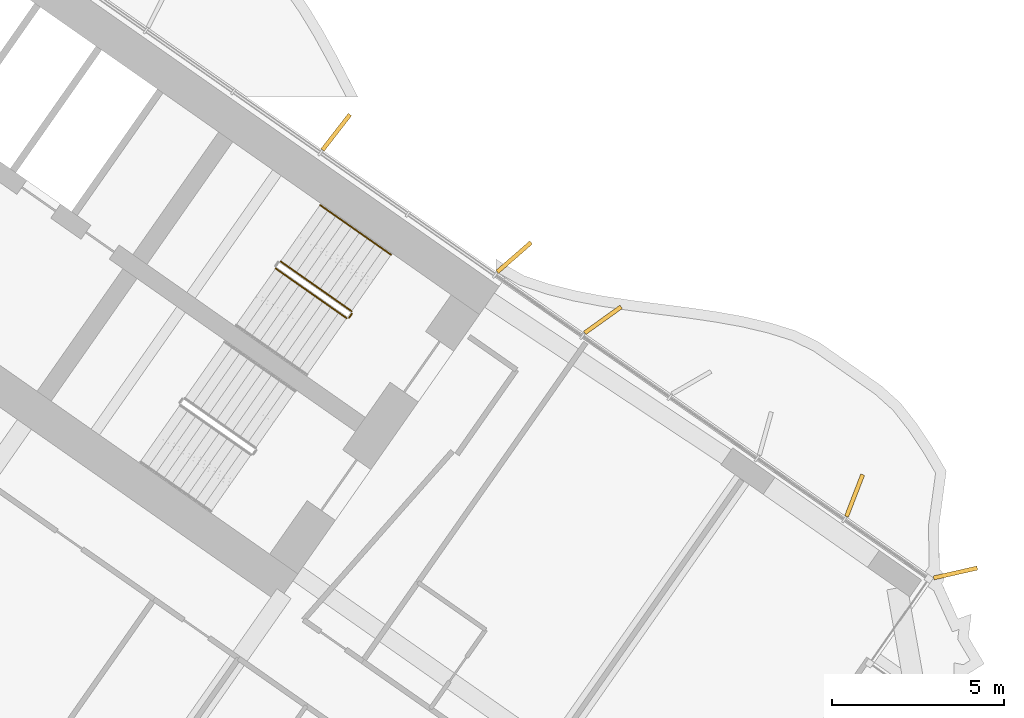
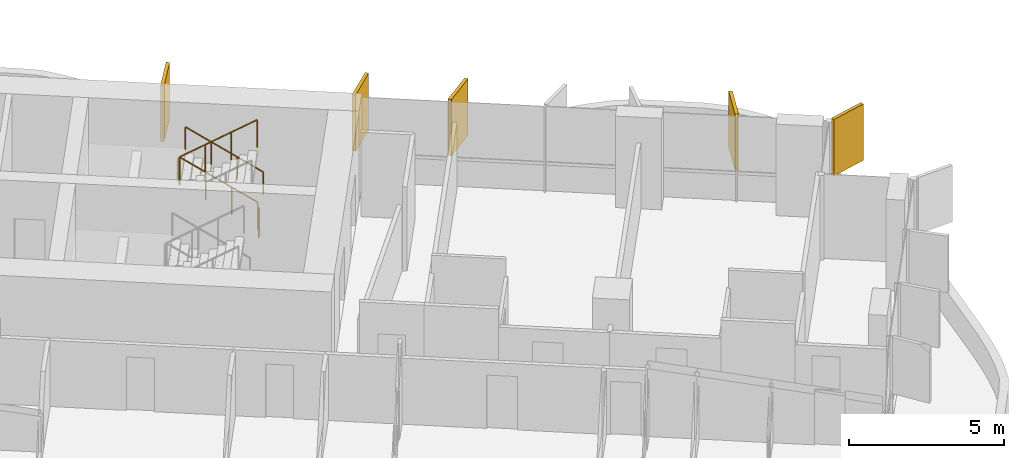
# One storey, part 23 of 23: 5 shading devices, 4 railings.
"""IFC4 building model written with IfcOpenShell, lengths in metres."""

from ifc_helpers import new_model, si_unit, direction, frame, origin, origin_2d, place, context, subcontext, project, spatial, rectangle, circle, extrude, material, layer, layer_set, type_object, element, save


model = new_model("IFC4")

# Units and contexts
model_context = context("Model", 3, precision=1e-05, world=origin(), true_north=direction((0.0, 1.0)))
body_context = subcontext(model_context, "Body", "Model", "MODEL_VIEW")
ifc_project = project(units=[si_unit("LENGTHUNIT", "METRE"), si_unit("AREAUNIT", "SQUARE_METRE"), si_unit("VOLUMEUNIT", "CUBIC_METRE"), si_unit("PLANEANGLEUNIT", "RADIAN"), si_unit("MASSUNIT", "GRAM", prefix="KILO")], contexts=[model_context])

# Site, building, storey
site_placement = place(None, origin())
site = spatial("IfcSite", under=ifc_project, at=site_placement, CompositionType="ELEMENT")
building_placement = place(site_placement, origin())
building = spatial("IfcBuilding", under=site, at=building_placement, Name="Tel Ilan Convention Tower", CompositionType="ELEMENT")
storey_placement = place(building_placement, frame((0.0, 0.0, 115.699951171875)))
storey = spatial("IfcBuildingStorey", under=building, at=storey_placement, Name="L25", CompositionType="ELEMENT", Elevation=115.699951171875)

# Shading devices
ifc_material_1 = material(Name="Aluminium, bronze anodised", Category="aluminium")
ifc_layer = layer(ifc_material_1, 0.1201171875)
ifc_layer_set = layer_set([ifc_layer], Name="FIN BRONZE 1300x120")
shading_device_type = type_object("IfcShadingDeviceType", Name="FIN BRONZE 1300x120", PredefinedType="USERDEFINED", material=ifc_layer_set)
for number, where, z_axis, x_axis, name in (
    (1, (28.40380859375, -6.283203125, 1.10009765625), (0.0, 0.0, 1.0), (0.753435896329, 0.657521368568, 0.0), "FIN"),
    (2, (23.23193359375, -2.653564453125, 1.10009765625), (0.0, 0.0, 1.0), (0.612600545196, 0.790392669516, 0.0), "FIN"),
    (3, (41.22705078125, -15.459716796875, 1.10009765625), (0.0, 0.0, 1.0), (0.975235208752, 0.221170268371, 0.0), "FIN"),
    (4, (38.2958984375, -13.209716796875, 1.10009765625), (0.0, 0.0, 1.0), (0.360177724803, 0.932883704733, 0.0), "FIN"),
    (5, (30.983154296875, -8.1044921875, 1.10009765625), (0.0, 0.0, 1.0), (0.813552070258, 0.581492071294, 0.0), "FIN"),
):
    element("IfcShadingDevice", number, at=place(storey_placement, frame(where, z_axis=z_axis, x_axis=x_axis)), inside=storey, type_object=shading_device_type, Name=name, ObjectType="FIN", PredefinedType="USERDEFINED", context=body_context, shape_type="SweptSolid", body=[
        extrude(rectangle(XDim=1.300048828125, YDim=0.1201171875, at=origin_2d()), origin(), (0.0, 0.0, 1.0), 2.219970703125),
    ])

# Railings
ifc_material_2 = material(Name="Stainless Steel Grade 316", Category="steel")
railing_type_1 = type_object("IfcRailingType", Name="Stainless Steel Stair Guard 1100 mm", PredefinedType="GUARDRAIL", material=ifc_material_2)
railing_1_placement = place(storey_placement, frame((23.6787109375, -7.8515625, 0.179931640625)))
element("IfcRailing", 6, at=railing_1_placement, inside=storey, type_object=railing_type_1, Name="L25 S3 stair guard 1", PredefinedType="GUARDRAIL", context=body_context, shape_type="SweptSolid", body=[
    extrude(circle(Radius=0.02392578125, at=origin_2d()), frame((0.0, 0.0, 1.076171875), z_axis=(-0.689013013563, 0.482512838948, 0.540779462804), x_axis=(-0.573624882958, -0.819118119475, 0.0)), (0.0, 0.0, 1.0), 2.995849609375),
    extrude(circle(Radius=0.02099609375, at=origin_2d()), origin(), (0.0, 0.0, 1.0), 1.052001953125),
    extrude(circle(Radius=0.02099609375, at=origin_2d()), frame((-0.68798828125, 0.48193359375, 0.5400390625)), (0.0, 0.0, 1.0), 1.052001953125),
    extrude(circle(Radius=0.02099609375, at=origin_2d()), frame((-1.376220703125, 0.963623046875, 1.080078125)), (0.0, 0.0, 1.0), 1.052001953125),
    extrude(circle(Radius=0.02099609375, at=origin_2d()), frame((-2.064208984375, 1.445556640625, 1.6201171875)), (0.0, 0.0, 1.0), 1.052001953125),
])
railing_2_placement = place(storey_placement, frame((21.47119140625, -6.61083984375, 1.97998046875)))
element("IfcRailing", 7, at=railing_2_placement, inside=storey, type_object=railing_type_1, Name="L25 S3 stair guard 3", PredefinedType="GUARDRAIL", context=body_context, shape_type="SweptSolid", body=[
    extrude(circle(Radius=0.02392578125, at=origin_2d()), frame((0.0, 0.0, 1.076171875), z_axis=(0.689013013563, -0.482512838948, 0.540779462804), x_axis=(0.573624882958, 0.819118119475, 0.0)), (0.0, 0.0, 1.0), 2.995849609375),
    extrude(circle(Radius=0.02099609375, at=origin_2d()), origin(), (0.0, 0.0, 1.0), 1.052001953125),
    extrude(circle(Radius=0.02099609375, at=origin_2d()), frame((0.68798828125, -0.48193359375, 0.5400390625)), (0.0, 0.0, 1.0), 1.052001953125),
    extrude(circle(Radius=0.02099609375, at=origin_2d()), frame((1.376220703125, -0.963623046875, 1.080078125)), (0.0, 0.0, 1.0), 1.052001953125),
    extrude(circle(Radius=0.02099609375, at=origin_2d()), frame((2.064208984375, -1.445556640625, 1.6201171875)), (0.0, 0.0, 1.0), 1.052001953125),
])
railing_3_placement = place(storey_placement, frame((23.691162109375, -7.921142578125, 0.0)))
element("IfcRailing", 8, at=railing_3_placement, inside=storey, type_object=railing_type_1, Name="L25 S3 stair guard 4", PredefinedType="GUARDRAIL", context=body_context, shape_type="SweptSolid", body=[
    extrude(circle(Radius=0.02392578125, at=origin_2d()), frame((0.0, 0.0, 1.076171875), z_axis=(-0.574444878118, -0.818543268254, 0.0), x_axis=(0.818543268254, -0.574444878118, 0.0)), (0.0, 0.0, 1.0), 0.150146484375),
    extrude(circle(Radius=0.02099609375, at=origin_2d()), origin(), (0.0, 0.0, 1.0), 1.052001953125),
    extrude(circle(Radius=0.02099609375, at=origin_2d()), frame((-0.086181640625, -0.122802734375, 0.0)), (0.0, 0.0, 1.0), 1.052001953125),
])
ifc_material_3 = material(Name="Stainless Steel Grade 316", Category="steel")
railing_type_2 = type_object("IfcRailingType", Name="Stainless Steel Stair Handrail 900 mm", PredefinedType="HANDRAIL", material=ifc_material_3)
railing_4_placement = place(storey_placement, frame((24.825927734375, -6.213134765625, 0.179931640625)))
element("IfcRailing", 9, at=railing_4_placement, inside=storey, type_object=railing_type_2, Name="L25 S3 stair handrail 1", PredefinedType="HANDRAIL", context=body_context, shape_type="SweptSolid", body=[
    extrude(circle(Radius=0.02392578125, at=origin_2d()), frame((0.0, 0.0, 0.8759765625), z_axis=(-0.689040105437, 0.482450316285, 0.54080072616), x_axis=(-0.573559875649, -0.819163639968, 0.0)), (0.0, 0.0, 1.0), 2.995849609375),
    extrude(circle(Radius=0.02099609375, at=origin_2d()), origin(), (0.0, 0.0, 1.0), 0.851806640625),
    extrude(circle(Radius=0.02099609375, at=origin_2d()), frame((-0.68798828125, 0.481689453125, 0.5400390625)), (0.0, 0.0, 1.0), 0.851806640625),
    extrude(circle(Radius=0.02099609375, at=origin_2d()), frame((-1.376220703125, 0.963623046875, 1.080078125)), (0.0, 0.0, 1.0), 0.851806640625),
    extrude(circle(Radius=0.02099609375, at=origin_2d()), frame((-2.064208984375, 1.4453125, 1.6201171875)), (0.0, 0.0, 1.0), 0.851806640625),
])

save(model, "model.ifc")
